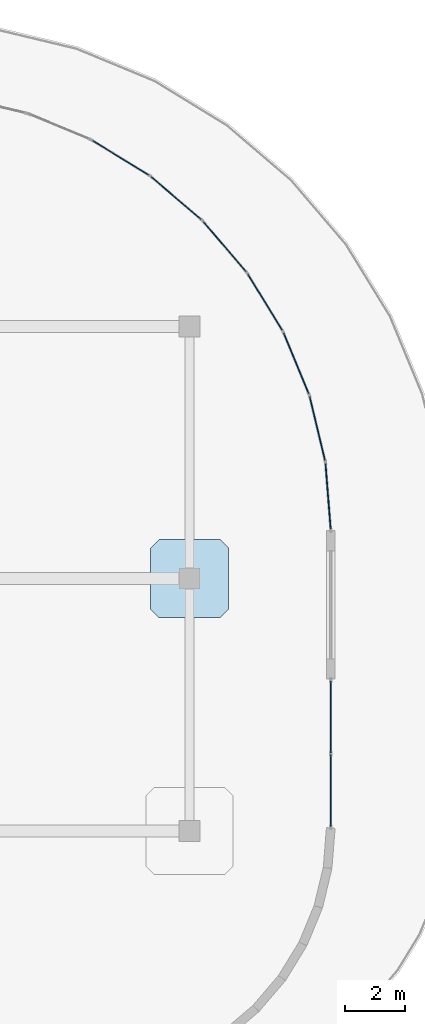
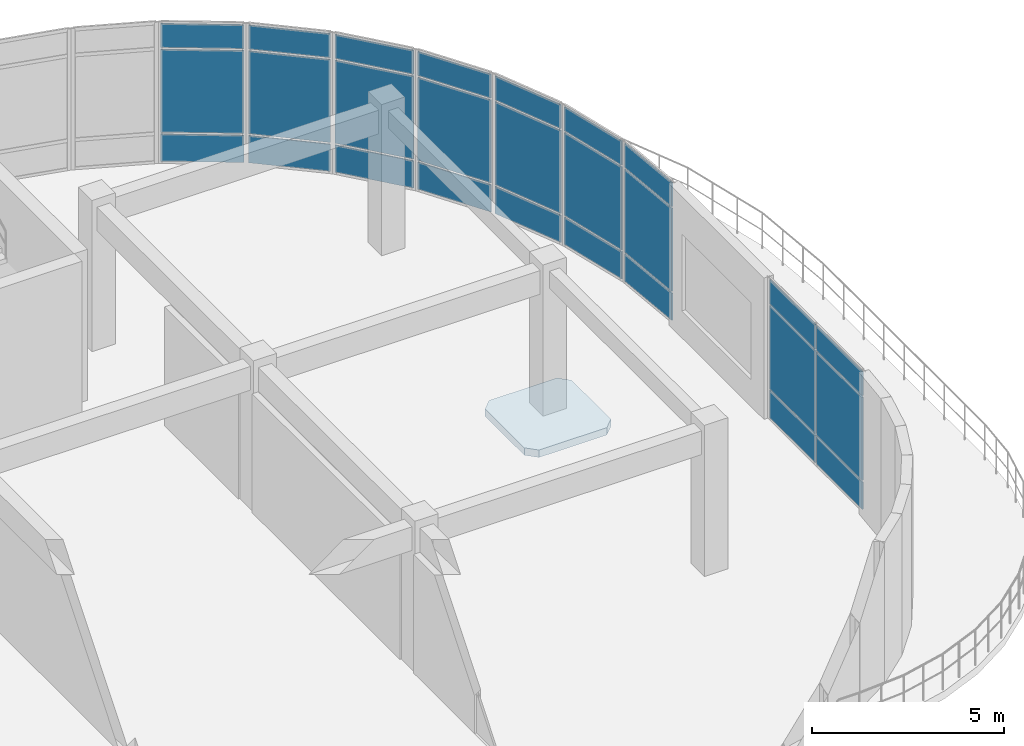
# One storey, part 59 of 76: 27 plates, 1 slab, 8 elements without a shape of their own.
"""IFC4 building model written with IfcOpenShell, lengths in metres."""

from ifc_helpers import new_model, si_unit, derived_unit, direction, frame, origin, origin_2d, place, context, subcontext, project, spatial, polyline, rectangle, outline, extrude, material, layer, layer_set, type_object, element, aggregate, save


model = new_model("IFC4")

# Units and contexts
model_context = context("Model", 3, precision=1e-05, world=origin(), true_north=direction((0.0, 1.0)))
body_context = subcontext(model_context, "Body", "Model", "MODEL_VIEW")
ifc_project = project(units=[si_unit("LENGTHUNIT", "METRE"), si_unit("AREAUNIT", "SQUARE_METRE"), si_unit("VOLUMEUNIT", "CUBIC_METRE"), si_unit("PLANEANGLEUNIT", "RADIAN"), si_unit("MASSUNIT", "GRAM", prefix="KILO"), derived_unit("THERMALTRANSMITTANCEUNIT", [(si_unit("MASSUNIT", "GRAM", prefix="KILO"), 1), (si_unit("TIMEUNIT", "SECOND"), -3), (si_unit("THERMODYNAMICTEMPERATUREUNIT", "KELVIN"), -1)])], contexts=[model_context])

# Site, building, storey
site_placement = place(None, origin())
site = spatial("IfcSite", under=ifc_project, at=site_placement, CompositionType="ELEMENT")
building_placement = place(site_placement, origin())
building = spatial("IfcBuilding", under=site, at=building_placement, Name="Qinzheling Arcade Emporium", CompositionType="ELEMENT")
storey_placement = place(building_placement, frame((0.0, 0.0, 26.699951171875)))
storey = spatial("IfcBuildingStorey", under=building, at=storey_placement, Name="L06", CompositionType="ELEMENT", Elevation=26.699951171875)

# Slab
ifc_material_1 = material(Name="Concrete C40", Category="concrete")
ifc_layer_1 = layer(ifc_material_1, 0.235107421875, Name="Concrete C40", Category="concrete")
ifc_layer_set_1 = layer_set([ifc_layer_1], Name="Concrete C40")
slab_type = type_object("IfcSlabType", Name="Column Head Drop Panel 2600x2600x235 C40", PredefinedType="USERDEFINED", material=ifc_layer_set_1)
slab_placement = place(storey_placement, frame((0.0, 0.0, -0.5)))
element("IfcSlab", 1, at=slab_placement, inside=storey, type_object=slab_type, Name="Column Drop Panel DP-L06-16-L", ObjectType="DROP_PANEL", PredefinedType="USERDEFINED", context=body_context, shape_type="SweptSolid", body=[
    extrude(outline(polyline([(129.47998046875, 89.300048828125), (131.52001953125, 89.300048828125), (131.800048828125, 89.580078125), (131.800048828125, 91.6201171875), (131.52001953125, 91.89990234375), (129.47998046875, 91.89990234375), (129.199951171875, 91.6201171875), (129.199951171875, 89.580078125), (129.47998046875, 89.300048828125)])), origin(), (0.0, 0.0, 1.0), 0.235107421875),
])

# Curtain wall, plates
ifc_material_2 = material(Name="Anodised aluminium and solar-control double glazing", Category="aluminium")
ifc_layer_2 = layer(ifc_material_2, 0.159912109375, Name="Anodised aluminium and solar-control double glazing", Category="aluminium")
ifc_layer_set_2 = layer_set([ifc_layer_2], Name="Anodised aluminium and solar-control double glazing")
curtain_wall_type_1 = type_object("IfcCurtainWallType", Name="Curved Ribbon Sales Curtain Wall", PredefinedType="NOTDEFINED", material=ifc_layer_set_2)
curtain_wall_1_placement = place(storey_placement, origin())
curtain_wall_1 = element("IfcCurtainWall", 2, at=curtain_wall_1_placement, inside=storey, type_object=curtain_wall_type_1, Name="Curtain Wall CW-L06-386", PredefinedType="NOTDEFINED")
ifc_material_3 = material(Name="Laminated solar-control double glazing", Category="glass")
ifc_layer_3 = layer(ifc_material_3, 0.029052734375, Name="Laminated solar-control double glazing", Category="glass")
ifc_layer_set_3 = layer_set([ifc_layer_3], Name="Laminated solar-control double glazing")
plate_type_1 = type_object("IfcPlateType", Name="Low-E Double Glazed Curtain Panel 29mm", PredefinedType="CURTAIN_PANEL", material=ifc_layer_set_3)
plate_1_placement = place(storey_placement, frame((128.205078125, 104.610595703125, 0.06005859375), z_axis=(0.0, 0.0, 1.0), x_axis=(0.852720397742, -0.522367613156, 0.0)))
plate_1 = element("IfcPlate", 3, at=plate_1_placement, type_object=plate_type_1, Name="CW02 panel 1.1", PredefinedType="CURTAIN_PANEL", context=body_context, shape_type="SweptSolid", body=[
    extrude(rectangle(XDim=2.17138671875, YDim=0.029052734375, at=origin_2d()), origin(), (0.0, 0.0, 1.0), 0.860107421875),
])
plate_2_placement = place(storey_placement, frame((128.205078125, 104.610595703125, 0.980224609375), z_axis=(0.0, 0.0, 1.0), x_axis=(0.852720397742, -0.522367613156, 0.0)))
plate_2 = element("IfcPlate", 4, at=plate_2_placement, type_object=plate_type_1, Name="CW02 panel 1.2", PredefinedType="CURTAIN_PANEL", context=body_context, shape_type="SweptSolid", body=[
    extrude(rectangle(XDim=2.17138671875, YDim=0.029052734375, at=origin_2d()), origin(), (0.0, 0.0, 1.0), 2.6298828125),
])
plate_3_placement = place(storey_placement, frame((128.205078125, 104.610595703125, 3.669921875), z_axis=(0.0, 0.0, 1.0), x_axis=(0.852720397742, -0.522367613156, 0.0)))
plate_3 = element("IfcPlate", 5, at=plate_3_placement, type_object=plate_type_1, Name="CW02 panel 1.3", PredefinedType="CURTAIN_PANEL", context=body_context, shape_type="SweptSolid", body=[
    extrude(rectangle(XDim=2.17138671875, YDim=0.029052734375, at=origin_2d()), origin(), (0.0, 0.0, 1.0), 0.760009765625),
])
aggregate(curtain_wall_1, [plate_1, plate_2, plate_3])

curtain_wall_2_placement = place(storey_placement, origin())
curtain_wall_2 = element("IfcCurtainWall", 6, at=curtain_wall_2_placement, inside=storey, type_object=curtain_wall_type_1, Name="Curtain Wall CW-L06-387", PredefinedType="NOTDEFINED")
ifc_layer_4 = layer(ifc_material_3, 0.030029296875, Name="Laminated solar-control double glazing", Category="glass")
ifc_layer_set_4 = layer_set([ifc_layer_4], Name="Laminated solar-control double glazing")
plate_type_2 = type_object("IfcPlateType", Name="Low-E Double Glazed Curtain Panel 30mm", PredefinedType="CURTAIN_PANEL", material=ifc_layer_set_4)
plate_4_placement = place(storey_placement, frame((130.052978515625, 103.26806640625, 0.06005859375), z_axis=(0.0, 0.0, 1.0), x_axis=(0.7603646964, -0.649496365247, 0.0)))
plate_4 = element("IfcPlate", 7, at=plate_4_placement, type_object=plate_type_2, Name="CW02 panel 1.1", PredefinedType="CURTAIN_PANEL", context=body_context, shape_type="SweptSolid", body=[
    extrude(rectangle(XDim=2.1708984375, YDim=0.030029296875, at=origin_2d()), origin(), (0.0, 0.0, 1.0), 0.860107421875),
])
plate_5_placement = place(storey_placement, frame((130.052978515625, 103.26806640625, 0.980224609375), z_axis=(0.0, 0.0, 1.0), x_axis=(0.7603646964, -0.649496365247, 0.0)))
plate_5 = element("IfcPlate", 8, at=plate_5_placement, type_object=plate_type_2, Name="CW02 panel 1.2", PredefinedType="CURTAIN_PANEL", context=body_context, shape_type="SweptSolid", body=[
    extrude(rectangle(XDim=2.1708984375, YDim=0.030029296875, at=origin_2d()), origin(), (0.0, 0.0, 1.0), 2.6298828125),
])
plate_6_placement = place(storey_placement, frame((130.052978515625, 103.26806640625, 3.669921875), z_axis=(0.0, 0.0, 1.0), x_axis=(0.7603646964, -0.649496365247, 0.0)))
plate_6 = element("IfcPlate", 9, at=plate_6_placement, type_object=plate_type_2, Name="CW02 panel 1.3", PredefinedType="CURTAIN_PANEL", context=body_context, shape_type="SweptSolid", body=[
    extrude(rectangle(XDim=2.1708984375, YDim=0.030029296875, at=origin_2d()), origin(), (0.0, 0.0, 1.0), 0.760009765625),
])
aggregate(curtain_wall_2, [plate_4, plate_5, plate_6])

curtain_wall_3_placement = place(storey_placement, origin())
curtain_wall_3 = element("IfcCurtainWall", 10, at=curtain_wall_3_placement, inside=storey, type_object=curtain_wall_type_1, Name="Curtain Wall CW-L06-388", PredefinedType="NOTDEFINED")
ifc_layer_5 = layer(ifc_material_3, 0.031005859375, Name="Laminated solar-control double glazing", Category="glass")
ifc_layer_set_5 = layer_set([ifc_layer_5], Name="Laminated solar-control double glazing")
plate_type_3 = type_object("IfcPlateType", Name="Low-E Double Glazed Curtain Panel 31mm", PredefinedType="CURTAIN_PANEL", material=ifc_layer_set_5)
plate_7_placement = place(storey_placement, frame((131.66796875, 101.653076171875, 0.06005859375), z_axis=(0.0, 0.0, 1.0), x_axis=(0.649496365247, -0.7603646964, 0.0)))
plate_7 = element("IfcPlate", 11, at=plate_7_placement, type_object=plate_type_3, Name="CW02 panel 1.1", PredefinedType="CURTAIN_PANEL", context=body_context, shape_type="SweptSolid", body=[
    extrude(rectangle(XDim=2.1708984375, YDim=0.031005859375, at=origin_2d()), origin(), (0.0, 0.0, 1.0), 0.860107421875),
])
plate_8_placement = place(storey_placement, frame((131.66796875, 101.653076171875, 0.980224609375), z_axis=(0.0, 0.0, 1.0), x_axis=(0.649496365247, -0.7603646964, 0.0)))
plate_8 = element("IfcPlate", 12, at=plate_8_placement, type_object=plate_type_3, Name="CW02 panel 1.2", PredefinedType="CURTAIN_PANEL", context=body_context, shape_type="SweptSolid", body=[
    extrude(rectangle(XDim=2.1708984375, YDim=0.031005859375, at=origin_2d()), origin(), (0.0, 0.0, 1.0), 2.6298828125),
])
plate_9_placement = place(storey_placement, frame((131.66796875, 101.653076171875, 3.669921875), z_axis=(0.0, 0.0, 1.0), x_axis=(0.649496365247, -0.7603646964, 0.0)))
plate_9 = element("IfcPlate", 13, at=plate_9_placement, type_object=plate_type_3, Name="CW02 panel 1.3", PredefinedType="CURTAIN_PANEL", context=body_context, shape_type="SweptSolid", body=[
    extrude(rectangle(XDim=2.1708984375, YDim=0.031005859375, at=origin_2d()), origin(), (0.0, 0.0, 1.0), 0.760009765625),
])
aggregate(curtain_wall_3, [plate_7, plate_8, plate_9])

curtain_wall_4_placement = place(storey_placement, origin())
curtain_wall_4 = element("IfcCurtainWall", 14, at=curtain_wall_4_placement, inside=storey, type_object=curtain_wall_type_1, Name="Curtain Wall CW-L06-389", PredefinedType="NOTDEFINED")
ifc_layer_6 = layer(ifc_material_3, 0.031982421875, Name="Laminated solar-control double glazing", Category="glass")
ifc_layer_set_6 = layer_set([ifc_layer_6], Name="Laminated solar-control double glazing")
plate_type_4 = type_object("IfcPlateType", Name="Low-E Double Glazed Curtain Panel 32mm", PredefinedType="CURTAIN_PANEL", material=ifc_layer_set_6)
plate_10_placement = place(storey_placement, frame((133.010498046875, 99.804931640625, 0.06005859375), z_axis=(0.0, 0.0, 1.0), x_axis=(0.522367613156, -0.852720397742, 0.0)))
plate_10 = element("IfcPlate", 15, at=plate_10_placement, type_object=plate_type_4, Name="CW02 panel 1.1", PredefinedType="CURTAIN_PANEL", context=body_context, shape_type="SweptSolid", body=[
    extrude(rectangle(XDim=2.17138671875, YDim=0.031982421875, at=origin_2d()), origin(), (0.0, 0.0, 1.0), 0.860107421875),
])
plate_11_placement = place(storey_placement, frame((133.010498046875, 99.804931640625, 0.980224609375), z_axis=(0.0, 0.0, 1.0), x_axis=(0.522367613156, -0.852720397742, 0.0)))
plate_11 = element("IfcPlate", 16, at=plate_11_placement, type_object=plate_type_4, Name="CW02 panel 1.2", PredefinedType="CURTAIN_PANEL", context=body_context, shape_type="SweptSolid", body=[
    extrude(rectangle(XDim=2.17138671875, YDim=0.031982421875, at=origin_2d()), origin(), (0.0, 0.0, 1.0), 2.6298828125),
])
plate_12_placement = place(storey_placement, frame((133.010498046875, 99.804931640625, 3.669921875), z_axis=(0.0, 0.0, 1.0), x_axis=(0.522367613156, -0.852720397742, 0.0)))
plate_12 = element("IfcPlate", 17, at=plate_12_placement, type_object=plate_type_4, Name="CW02 panel 1.3", PredefinedType="CURTAIN_PANEL", context=body_context, shape_type="SweptSolid", body=[
    extrude(rectangle(XDim=2.17138671875, YDim=0.031982421875, at=origin_2d()), origin(), (0.0, 0.0, 1.0), 0.760009765625),
])
aggregate(curtain_wall_4, [plate_10, plate_11, plate_12])

curtain_wall_5_placement = place(storey_placement, origin())
curtain_wall_5 = element("IfcCurtainWall", 18, at=curtain_wall_5_placement, inside=storey, type_object=curtain_wall_type_1, Name="Curtain Wall CW-L06-390", PredefinedType="NOTDEFINED")
ifc_layer_7 = layer(ifc_material_3, 0.033935546875, Name="Laminated solar-control double glazing", Category="glass")
ifc_layer_set_7 = layer_set([ifc_layer_7], Name="Laminated solar-control double glazing")
plate_type_5 = type_object("IfcPlateType", Name="Low-E Double Glazed Curtain Panel 34mm", PredefinedType="CURTAIN_PANEL", material=ifc_layer_set_7)
plate_13_placement = place(storey_placement, frame((134.047119140625, 97.77001953125, 0.06005859375), z_axis=(0.0, 0.0, 1.0), x_axis=(0.382506055886, -0.923952984308, 0.0)))
plate_13 = element("IfcPlate", 19, at=plate_13_placement, type_object=plate_type_5, Name="CW02 panel 1.1", PredefinedType="CURTAIN_PANEL", context=body_context, shape_type="SweptSolid", body=[
    extrude(rectangle(XDim=2.170166015625, YDim=0.033935546875, at=origin_2d()), origin(), (0.0, 0.0, 1.0), 0.860107421875),
])
plate_14_placement = place(storey_placement, frame((134.047119140625, 97.77001953125, 0.980224609375), z_axis=(0.0, 0.0, 1.0), x_axis=(0.382506055886, -0.923952984308, 0.0)))
plate_14 = element("IfcPlate", 20, at=plate_14_placement, type_object=plate_type_5, Name="CW02 panel 1.2", PredefinedType="CURTAIN_PANEL", context=body_context, shape_type="SweptSolid", body=[
    extrude(rectangle(XDim=2.170166015625, YDim=0.033935546875, at=origin_2d()), origin(), (0.0, 0.0, 1.0), 2.6298828125),
])
plate_15_placement = place(storey_placement, frame((134.047119140625, 97.77001953125, 3.669921875), z_axis=(0.0, 0.0, 1.0), x_axis=(0.382506055886, -0.923952984308, 0.0)))
plate_15 = element("IfcPlate", 21, at=plate_15_placement, type_object=plate_type_5, Name="CW02 panel 1.3", PredefinedType="CURTAIN_PANEL", context=body_context, shape_type="SweptSolid", body=[
    extrude(rectangle(XDim=2.170166015625, YDim=0.033935546875, at=origin_2d()), origin(), (0.0, 0.0, 1.0), 0.760009765625),
])
aggregate(curtain_wall_5, [plate_13, plate_14, plate_15])

curtain_wall_6_placement = place(storey_placement, origin())
curtain_wall_6 = element("IfcCurtainWall", 22, at=curtain_wall_6_placement, inside=storey, type_object=curtain_wall_type_1, Name="Curtain Wall CW-L06-391", PredefinedType="NOTDEFINED")
ifc_layer_8 = layer(ifc_material_3, 0.035888671875, Name="Laminated solar-control double glazing", Category="glass")
ifc_layer_set_8 = layer_set([ifc_layer_8], Name="Laminated solar-control double glazing")
plate_type_6 = type_object("IfcPlateType", Name="Low-E Double Glazed Curtain Panel 36mm", PredefinedType="CURTAIN_PANEL", material=ifc_layer_set_8)
plate_16_placement = place(storey_placement, frame((134.75244140625, 95.597900390625, 0.06005859375), z_axis=(0.0, 0.0, 1.0), x_axis=(0.233488495058, -0.972359564501, 0.0)))
plate_16 = element("IfcPlate", 23, at=plate_16_placement, type_object=plate_type_6, Name="CW02 panel 1.1", PredefinedType="CURTAIN_PANEL", context=body_context, shape_type="SweptSolid", body=[
    extrude(rectangle(XDim=2.17138671875, YDim=0.035888671875, at=origin_2d()), origin(), (0.0, 0.0, 1.0), 0.860107421875),
])
plate_17_placement = place(storey_placement, frame((134.75244140625, 95.597900390625, 0.980224609375), z_axis=(0.0, 0.0, 1.0), x_axis=(0.233488495058, -0.972359564501, 0.0)))
plate_17 = element("IfcPlate", 24, at=plate_17_placement, type_object=plate_type_6, Name="CW02 panel 1.2", PredefinedType="CURTAIN_PANEL", context=body_context, shape_type="SweptSolid", body=[
    extrude(rectangle(XDim=2.17138671875, YDim=0.035888671875, at=origin_2d()), origin(), (0.0, 0.0, 1.0), 2.6298828125),
])
plate_18_placement = place(storey_placement, frame((134.75244140625, 95.597900390625, 3.669921875), z_axis=(0.0, 0.0, 1.0), x_axis=(0.233488495058, -0.972359564501, 0.0)))
plate_18 = element("IfcPlate", 25, at=plate_18_placement, type_object=plate_type_6, Name="CW02 panel 1.3", PredefinedType="CURTAIN_PANEL", context=body_context, shape_type="SweptSolid", body=[
    extrude(rectangle(XDim=2.17138671875, YDim=0.035888671875, at=origin_2d()), origin(), (0.0, 0.0, 1.0), 0.760009765625),
])
aggregate(curtain_wall_6, [plate_16, plate_17, plate_18])

ifc_layer_9 = layer(ifc_material_2, 0.159912109375, Name="Anodised aluminium and solar-control double glazing", Category="aluminium")
ifc_layer_set_9 = layer_set([ifc_layer_9], Name="Anodised aluminium and solar-control double glazing")
curtain_wall_type_2 = type_object("IfcCurtainWallType", Name="Arcade Portal Glazed Curtain Wall", PredefinedType="NOTDEFINED", material=ifc_layer_set_9)
curtain_wall_7_placement = place(storey_placement, origin())
curtain_wall_7 = element("IfcCurtainWall", 26, at=curtain_wall_7_placement, inside=storey, type_object=curtain_wall_type_2, Name="Curtain Wall CW-L06-392", PredefinedType="NOTDEFINED")
ifc_layer_10 = layer(ifc_material_3, 0.0380859375, Name="Laminated solar-control double glazing", Category="glass")
ifc_layer_set_10 = layer_set([ifc_layer_10], Name="Laminated solar-control double glazing")
plate_type_7 = type_object("IfcPlateType", Name="Low-E Double Glazed Curtain Panel 38mm", PredefinedType="CURTAIN_PANEL", material=ifc_layer_set_10)
plate_19_placement = place(storey_placement, frame((135.110107421875, 93.342041015625, 0.06005859375), z_axis=(0.0, 0.0, 1.0), x_axis=(0.07856550421, -0.99690895349, 0.0)))
plate_19 = element("IfcPlate", 27, at=plate_19_placement, type_object=plate_type_7, Name="CW05 panel 1.1", PredefinedType="CURTAIN_PANEL", context=body_context, shape_type="SweptSolid", body=[
    extrude(rectangle(XDim=2.171142578125, YDim=0.0380859375, at=origin_2d()), origin(), (0.0, 0.0, 1.0), 0.860107421875),
])
plate_20_placement = place(storey_placement, frame((135.110107421875, 93.342041015625, 0.980224609375), z_axis=(0.0, 0.0, 1.0), x_axis=(0.07856550421, -0.99690895349, 0.0)))
plate_20 = element("IfcPlate", 28, at=plate_20_placement, type_object=plate_type_7, Name="CW05 panel 1.2", PredefinedType="CURTAIN_PANEL", context=body_context, shape_type="SweptSolid", body=[
    extrude(rectangle(XDim=2.171142578125, YDim=0.0380859375, at=origin_2d()), origin(), (0.0, 0.0, 1.0), 2.6298828125),
])
plate_21_placement = place(storey_placement, frame((135.110107421875, 93.342041015625, 3.669921875), z_axis=(0.0, 0.0, 1.0), x_axis=(0.07856550421, -0.99690895349, 0.0)))
plate_21 = element("IfcPlate", 29, at=plate_21_placement, type_object=plate_type_7, Name="CW05 panel 1.3", PredefinedType="CURTAIN_PANEL", context=body_context, shape_type="SweptSolid", body=[
    extrude(rectangle(XDim=2.171142578125, YDim=0.0380859375, at=origin_2d()), origin(), (0.0, 0.0, 1.0), 0.760009765625),
])
aggregate(curtain_wall_7, [plate_19, plate_20, plate_21])

curtain_wall_8_placement = place(storey_placement, origin())
curtain_wall_8 = element("IfcCurtainWall", 30, at=curtain_wall_8_placement, inside=storey, type_object=curtain_wall_type_2, Name="Curtain Wall CW-L06-393", PredefinedType="NOTDEFINED")
ifc_layer_11 = layer(ifc_material_3, 0.0400390625, Name="Laminated solar-control double glazing", Category="glass")
ifc_layer_set_11 = layer_set([ifc_layer_11], Name="Laminated solar-control double glazing")
plate_type_8 = type_object("IfcPlateType", Name="Low-E Double Glazed Curtain Panel 40mm", PredefinedType="CURTAIN_PANEL", material=ifc_layer_set_11)
plate_22_placement = place(storey_placement, frame((135.199951171875, 85.99609375, 0.06005859375), z_axis=(0.0, 0.0, 1.0), x_axis=(0.0, -1.0, 0.0)))
plate_22 = element("IfcPlate", 31, at=plate_22_placement, type_object=plate_type_8, Name="CW05 panel 1.1", PredefinedType="CURTAIN_PANEL", context=body_context, shape_type="SweptSolid", body=[
    extrude(rectangle(XDim=2.384033203125, YDim=0.0400390625, at=origin_2d()), origin(), (0.0, 0.0, 1.0), 0.860107421875),
])
plate_23_placement = place(storey_placement, frame((135.199951171875, 85.99609375, 0.980224609375), z_axis=(0.0, 0.0, 1.0), x_axis=(0.0, -1.0, 0.0)))
plate_23 = element("IfcPlate", 32, at=plate_23_placement, type_object=plate_type_8, Name="CW05 panel 1.2", PredefinedType="CURTAIN_PANEL", context=body_context, shape_type="SweptSolid", body=[
    extrude(rectangle(XDim=2.384033203125, YDim=0.0400390625, at=origin_2d()), origin(), (0.0, 0.0, 1.0), 2.6298828125),
])
plate_24_placement = place(storey_placement, frame((135.199951171875, 85.99609375, 3.669921875), z_axis=(0.0, 0.0, 1.0), x_axis=(0.0, -1.0, 0.0)))
plate_24 = element("IfcPlate", 33, at=plate_24_placement, type_object=plate_type_8, Name="CW05 panel 1.3", PredefinedType="CURTAIN_PANEL", context=body_context, shape_type="SweptSolid", body=[
    extrude(rectangle(XDim=2.384033203125, YDim=0.0400390625, at=origin_2d()), origin(), (0.0, 0.0, 1.0), 0.760009765625),
])
plate_25_placement = place(storey_placement, frame((135.199951171875, 83.552001953125, 0.06005859375), z_axis=(0.0, 0.0, 1.0), x_axis=(0.0, -1.0, 0.0)))
plate_25 = element("IfcPlate", 34, at=plate_25_placement, type_object=plate_type_8, Name="CW05 panel 2.1", PredefinedType="CURTAIN_PANEL", context=body_context, shape_type="SweptSolid", body=[
    extrude(rectangle(XDim=2.384033203125, YDim=0.0400390625, at=origin_2d()), origin(), (0.0, 0.0, 1.0), 0.860107421875),
])
plate_26_placement = place(storey_placement, frame((135.199951171875, 83.552001953125, 0.980224609375), z_axis=(0.0, 0.0, 1.0), x_axis=(0.0, -1.0, 0.0)))
plate_26 = element("IfcPlate", 35, at=plate_26_placement, type_object=plate_type_8, Name="CW05 panel 2.2", PredefinedType="CURTAIN_PANEL", context=body_context, shape_type="SweptSolid", body=[
    extrude(rectangle(XDim=2.384033203125, YDim=0.0400390625, at=origin_2d()), origin(), (0.0, 0.0, 1.0), 2.6298828125),
])
plate_27_placement = place(storey_placement, frame((135.199951171875, 83.552001953125, 3.669921875), z_axis=(0.0, 0.0, 1.0), x_axis=(0.0, -1.0, 0.0)))
plate_27 = element("IfcPlate", 36, at=plate_27_placement, type_object=plate_type_8, Name="CW05 panel 2.3", PredefinedType="CURTAIN_PANEL", context=body_context, shape_type="SweptSolid", body=[
    extrude(rectangle(XDim=2.384033203125, YDim=0.0400390625, at=origin_2d()), origin(), (0.0, 0.0, 1.0), 0.760009765625),
])
aggregate(curtain_wall_8, [plate_22, plate_23, plate_24, plate_25, plate_26, plate_27])

save(model, "model.ifc")
